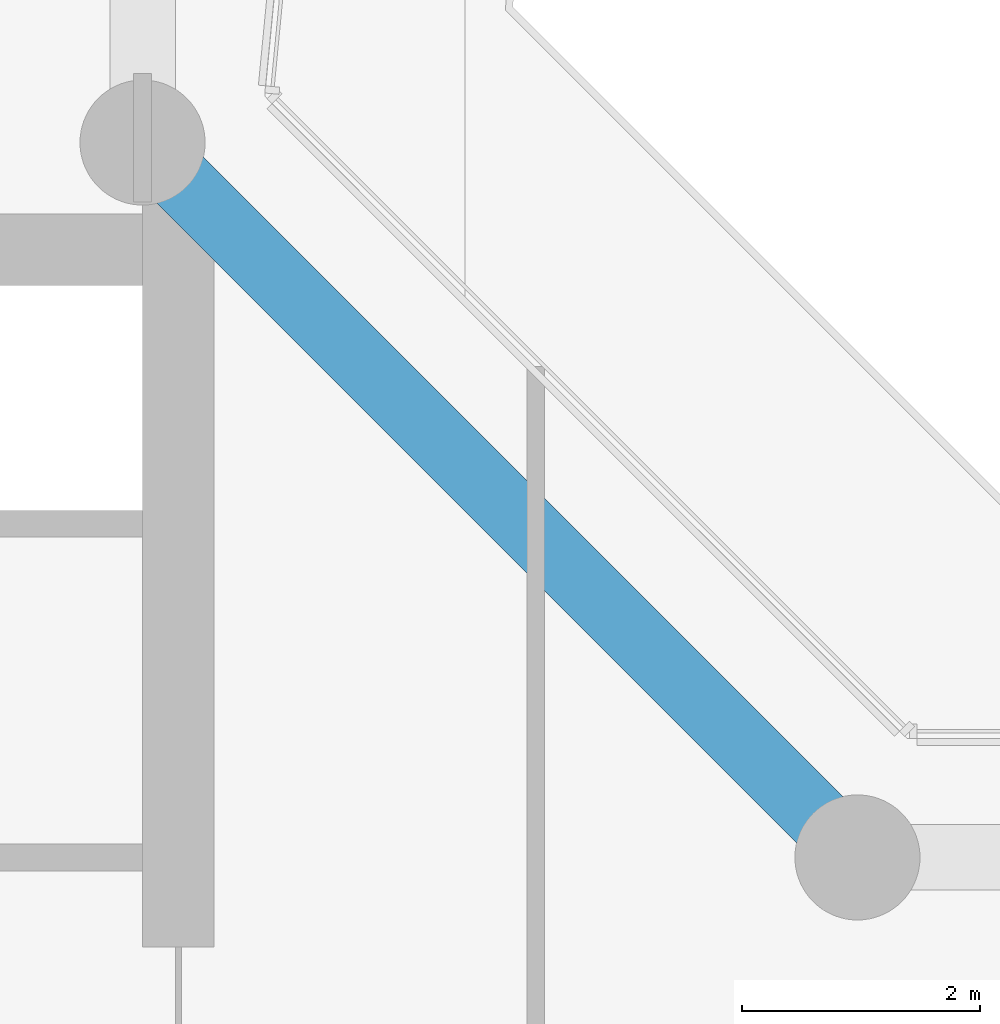
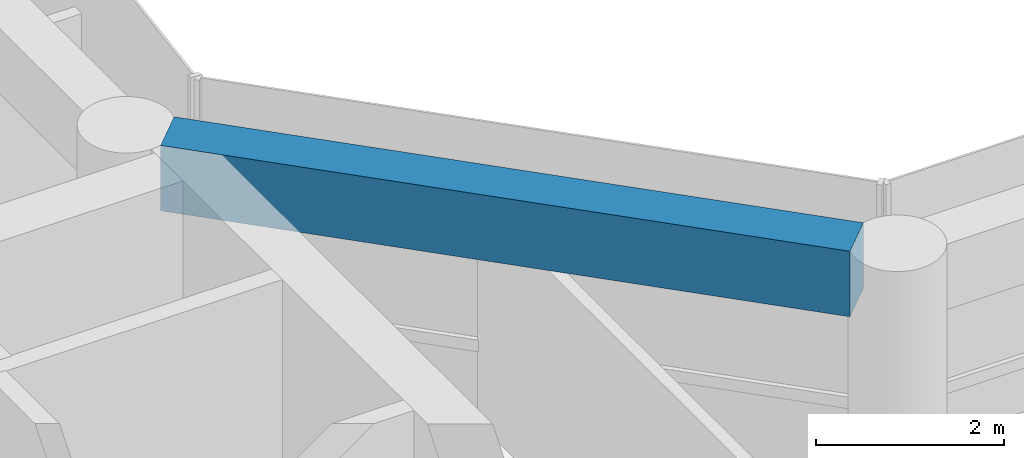
# One storey, part 5 of 23: 1 beam.
"""IFC4 building model written with IfcOpenShell, lengths in metres."""

import ifcopenshell
import ifcopenshell.guid

model = None  # the IFC model being written
_history = None  # IfcOwnerHistory: only IFC2X3 demands one
_inside = {}  # id of a spatial element -> (the spatial element, [elements in it])
_under = {}  # id of a project, library or spatial element -> (it, [spatial elements below it])
_declared = {}  # id of a project -> (the project, [libraries it declares])
_typed = {}  # id of a type object -> (the type object, [elements of that type])
_made_of = {}  # id of a material, layer set ... -> (it, [elements and type objects made of it])


def new_model(schema):
    """Start an empty IFC model of exactly this schema.

    Asked for "IFC4X3", IfcOpenShell would pick the latest addendum, in which some entities
    have other attributes; the version numbers below select the first issue.
    IFC2X3 requires an IfcOwnerHistory on every rooted entity: one is made here for all.
    """
    global model, _history
    if schema == "IFC4X3":
        model = ifcopenshell.file(schema_version=(4, 3, 0, 0))
    else:
        model = ifcopenshell.file(schema=schema)
    _inside.clear()
    _under.clear()
    _declared.clear()
    _typed.clear()
    _made_of.clear()
    _history = None
    if model.schema == "IFC2X3":
        org = make("IfcOrganization", Name="unknown")
        user = make(
            "IfcPersonAndOrganization",
            ThePerson=make("IfcPerson", FamilyName="unknown"),
            TheOrganization=org,
        )
        app = make(
            "IfcApplication",
            ApplicationDeveloper=org,
            Version="unknown",
            ApplicationFullName="unknown",
            ApplicationIdentifier="unknown",
        )
        _history = make(
            "IfcOwnerHistory",
            OwningUser=user,
            OwningApplication=app,
            ChangeAction="ADDED",
            CreationDate=0,
        )
    return model


def make(cls, **values):
    """One entity of the class cls with the attributes given. An attribute that is None is left unset."""
    return model.create_entity(
        cls, **{name: value for name, value in values.items() if value is not None}
    )


def rooted(cls, **values):
    """An entity with a GlobalId (a new one), such as an element, a storey or a relation."""
    return make(cls, GlobalId=ifcopenshell.guid.new(), OwnerHistory=_history, **values)


def si_unit(unit_type, name, prefix=None):
    """IfcSIUnit, for example si_unit("LENGTHUNIT", "METRE", prefix="MILLI")."""
    return make("IfcSIUnit", UnitType=unit_type, Prefix=prefix, Name=name)


def assignment(units):
    """IfcUnitAssignment: the units of a project."""
    return None if units is None else make("IfcUnitAssignment", Units=units)


def point(xyz):
    """IfcCartesianPoint."""
    return None if xyz is None else make("IfcCartesianPoint", Coordinates=xyz)


def direction(xyz):
    """IfcDirection."""
    return None if xyz is None else make("IfcDirection", DirectionRatios=xyz)


def frame(location, z_axis=None, x_axis=None):
    """IfcAxis2Placement3D, a coordinate frame: its origin and axes. An axis left out is left unset."""
    return make(
        "IfcAxis2Placement3D",
        Location=point(location),
        Axis=direction(z_axis),
        RefDirection=direction(x_axis),
    )


def frame_2d(location, x_axis=None):
    """IfcAxis2Placement2D, a coordinate frame in the plane: its origin and x axis."""
    return make(
        "IfcAxis2Placement2D", Location=point(location), RefDirection=direction(x_axis)
    )


def origin():
    """The frame at (0, 0, 0) with its axes left unset."""
    return frame((0.0, 0.0, 0.0))


def origin_2d():
    """The frame at (0, 0) in the plane with its x axis left unset."""
    return frame_2d((0.0, 0.0))


def place(relative_to, where):
    """IfcLocalPlacement: puts the frame where relative to a parent placement (None: the world)."""
    return make(
        "IfcLocalPlacement", PlacementRelTo=relative_to, RelativePlacement=where
    )


def context(
    kind, dimensions, precision=None, world=None, true_north=None, identifier=None
):
    """IfcGeometricRepresentationContext, for example the 3D "Model" context."""
    return make(
        "IfcGeometricRepresentationContext",
        ContextIdentifier=identifier,
        ContextType=kind,
        CoordinateSpaceDimension=dimensions,
        Precision=precision,
        WorldCoordinateSystem=world,
        TrueNorth=true_north,
    )


def subcontext(parent, identifier, kind, view, scale=None):
    """IfcGeometricRepresentationSubContext, for example "Body" below "Model"."""
    return make(
        "IfcGeometricRepresentationSubContext",
        ContextIdentifier=identifier,
        ContextType=kind,
        ParentContext=parent,
        TargetScale=scale,
        TargetView=view,
    )


def project(units=None, contexts=None):
    """IfcProject with its units and contexts."""
    return rooted(
        "IfcProject",
        Name="project",
        RepresentationContexts=contexts,
        UnitsInContext=assignment(units),
    )


def spatial(cls, under=None, at=None, **own):
    """A site, building, storey or space (cls), placed at a placement, below another one or the project."""
    s = rooted(cls, ObjectPlacement=at, **own)
    if under is not None:
        _under.setdefault(under.id(), (under, []))[1].append(s)
    return s


def profile(cls, at=None, kind="AREA", **sizes):
    """A parametric profile (cls). Its sizes go by their IFC names, for example OverallWidth=200.0."""
    return make(cls, ProfileType=kind, Position=at, **sizes)


def rectangle(**sizes):
    """IfcRectangleProfileDef."""
    return profile("IfcRectangleProfileDef", **sizes)


def extrude(swept, where, along, depth):
    """IfcExtrudedAreaSolid: the profile swept, set in the frame where, extruded along a direction by depth."""
    return make(
        "IfcExtrudedAreaSolid",
        SweptArea=swept,
        Position=where,
        ExtrudedDirection=direction(along),
        Depth=depth,
    )


def shape(context_of_items, identifier, shape_type, items):
    """IfcShapeRepresentation: the items that make up one representation, for example the "Body"."""
    return make(
        "IfcShapeRepresentation",
        ContextOfItems=context_of_items,
        RepresentationIdentifier=identifier,
        RepresentationType=shape_type,
        Items=items,
    )


def material(Name=None, Category=None):
    """IfcMaterial."""
    return make("IfcMaterial", Name=Name, Category=Category)


def material_profile(
    of_material, cross_section, Name=None, Category=None, Priority=None
):
    """IfcMaterialProfile: a cross section and its material."""
    return make(
        "IfcMaterialProfile",
        Name=Name,
        Material=of_material,
        Profile=cross_section,
        Priority=Priority,
        Category=Category,
    )


def profile_set(profiles, Name=None, composite=None):
    """IfcMaterialProfileSet."""
    return make(
        "IfcMaterialProfileSet",
        Name=Name,
        MaterialProfiles=profiles,
        CompositeProfile=composite,
    )


def made_of(thing, what):
    """Note that an element or type object is made of a material, layer set ...; save() writes the relation."""
    if what is not None:
        _made_of.setdefault(what.id(), (what, []))[1].append(thing)
    return thing


def type_object(cls, material=None, **own):
    """A type object (cls), such as IfcWallType, which elements share."""
    return made_of(rooted(cls, **own), material)


def element(
    cls,
    number,
    at=None,
    inside=None,
    cuts=None,
    type_object=None,
    material=None,
    context=None,
    identifier="Body",
    shape_type=None,
    held_by="IfcProductDefinitionShape",
    body=None,
    shapes=None,
    **own,
):
    """One element of the class cls, such as IfcWall. Its Tag is "e" and its number.

    at: its placement. inside: the storey or other place that contains it. cuts: it is an
    opening in that element (IfcRelVoidsElement). A single representation is given by context,
    identifier, shape_type and body (its items); several are given by shapes. held_by: the class
    of the entity that holds the representations. save() writes the other relations.
    """
    e = rooted(cls, Tag="e%d" % number, ObjectPlacement=at, **own)
    if body is not None:
        shapes = [shape(context, identifier, shape_type, body)]
    if shapes is not None:
        e.Representation = make(held_by, Representations=shapes)
    if inside is not None:
        _inside.setdefault(inside.id(), (inside, []))[1].append(e)
    if cuts is not None:
        rooted(
            "IfcRelVoidsElement", RelatingBuildingElement=cuts, RelatedOpeningElement=e
        )
    if type_object is not None:
        _typed.setdefault(type_object.id(), (type_object, []))[1].append(e)
    return made_of(e, material)


def aggregate(whole, parts):
    """IfcRelAggregates: a whole, such as a stair, and the parts it consists of."""
    return rooted("IfcRelAggregates", RelatingObject=whole, RelatedObjects=parts)


def save(model, path):
    """Write the relations noted so far, then the file.

    IfcRelAggregates (storeys below a building ...), IfcRelContainedInSpatialStructure (elements
    in a storey), IfcRelDefinesByType, IfcRelAssociatesMaterial and IfcRelDeclares: one each for
    every whole, place, type object, material and project.
    """
    for whole, parts in _under.values():
        aggregate(whole, parts)
    for where, things in _inside.values():
        rooted(
            "IfcRelContainedInSpatialStructure",
            RelatedElements=things,
            RelatingStructure=where,
        )
    for kind, things in _typed.values():
        rooted("IfcRelDefinesByType", RelatedObjects=things, RelatingType=kind)
    for what, things in _made_of.values():
        rooted("IfcRelAssociatesMaterial", RelatedObjects=things, RelatingMaterial=what)
    for by, libraries in _declared.values():
        rooted("IfcRelDeclares", RelatingContext=by, RelatedDefinitions=libraries)
    model.write(path)


model = new_model("IFC4")

# Units and contexts
model_context = context("Model", 3, precision=1e-05, world=origin(), true_north=direction((0.0, 1.0)))
body_context = subcontext(model_context, "Body", "Model", "MODEL_VIEW")
ifc_project = project(units=[si_unit("LENGTHUNIT", "METRE"), si_unit("AREAUNIT", "SQUARE_METRE"), si_unit("VOLUMEUNIT", "CUBIC_METRE"), si_unit("PLANEANGLEUNIT", "RADIAN"), si_unit("MASSUNIT", "GRAM", prefix="KILO")], contexts=[model_context])

# Site, building, storey
site_placement = place(None, origin())
site = spatial("IfcSite", under=ifc_project, at=site_placement, CompositionType="ELEMENT")
building_placement = place(site_placement, origin())
building = spatial("IfcBuilding", under=site, at=building_placement, Name="Welwitschia Terrace Campus", CompositionType="ELEMENT")
storey_placement = place(building_placement, frame((0.0, 0.0, 146.60009765625)))
storey = spatial("IfcBuildingStorey", under=building, at=storey_placement, Name="L32", CompositionType="ELEMENT", Elevation=146.60009765625)

# Beam
ifc_material = material(Name="Concrete C50/60", Category="concrete")
ifc_material_profile = material_profile(ifc_material, rectangle(XDim=0.550048828125, YDim=0.85009765625, at=origin_2d()))
ifc_profile_set = profile_set([ifc_material_profile], Name="Concrete C50/60")
beam_type = type_object("IfcBeamType", Name="Ring spandrel 550x850", PredefinedType="SPANDREL", material=ifc_profile_set)
beam_placement = place(storey_placement, frame((29.68310546875, 20.31689453125, 3.4248046875), z_axis=(-0.707106781187, 0.707106781187, 0.0), x_axis=(-0.707106781187, -0.707106781187, 0.0)))
element("IfcBeam", 1, at=beam_placement, inside=storey, type_object=beam_type, Name="Spandrel SP3", PredefinedType="SPANDREL", context=body_context, shape_type="SweptSolid", body=[
    extrude(rectangle(XDim=0.550048828125, YDim=0.85009765625, at=origin_2d()), origin(), (0.0, 0.0, 1.0), 7.5888671875),
])

save(model, "model.ifc")
